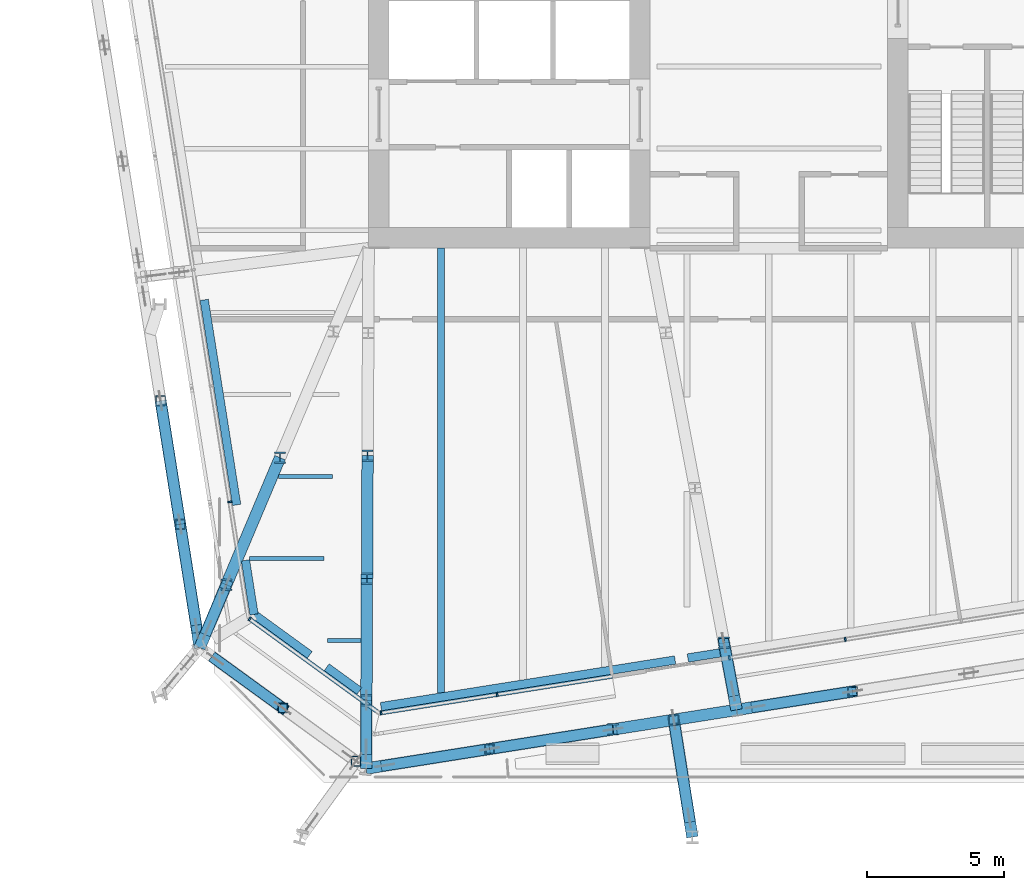
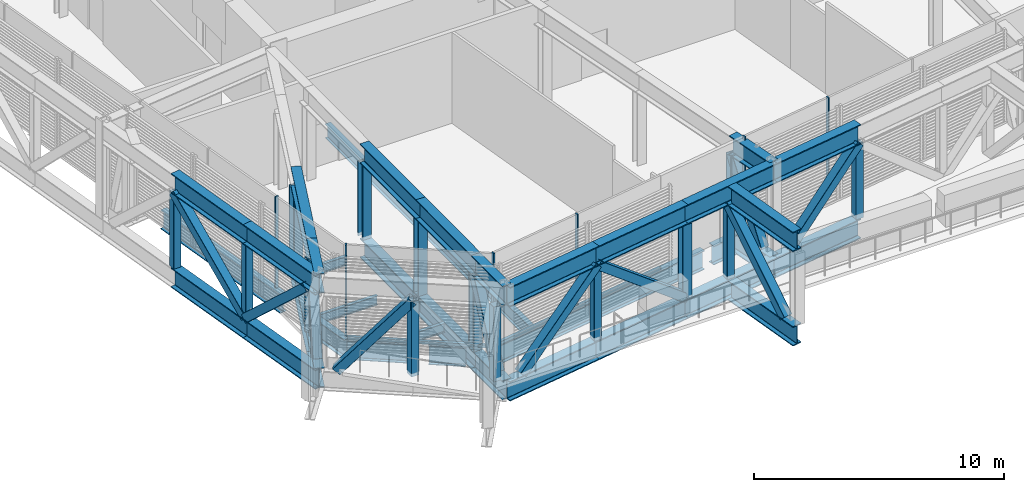
# One storey, part 2 of 32: 36 beams, 32 members, 3 elements without a shape of their own.
"""IFC4 building model written with IfcOpenShell, lengths in metres."""

from ifc_helpers import new_model, si_unit, direction, frame, origin, origin_2d, place, context, subcontext, project, spatial, rectangle, hollow_rectangle, i_section, extrude, material, layer, layer_set, material_profile, profile_set, type_object, element, aggregate, save


model = new_model("IFC4")

# Units and contexts
model_context = context("Model", 3, precision=1e-05, world=origin(), true_north=direction((0.0, 1.0)))
body_context = subcontext(model_context, "Body", "Model", "MODEL_VIEW")
ifc_project = project(units=[si_unit("LENGTHUNIT", "METRE"), si_unit("AREAUNIT", "SQUARE_METRE"), si_unit("VOLUMEUNIT", "CUBIC_METRE"), si_unit("PLANEANGLEUNIT", "RADIAN"), si_unit("MASSUNIT", "GRAM", prefix="KILO")], contexts=[model_context])

# Site, building, storey
site_placement = place(None, origin())
site = spatial("IfcSite", under=ifc_project, at=site_placement, CompositionType="ELEMENT")
building_placement = place(site_placement, origin())
building = spatial("IfcBuilding", under=site, at=building_placement, Name="Millrace Tower", CompositionType="ELEMENT")
storey_placement = place(building_placement, frame((0.0, 0.0, 124.89990234375)))
storey = spatial("IfcBuildingStorey", under=building, at=storey_placement, Name="L27", CompositionType="ELEMENT", Elevation=124.89990234375)

# Curtain wall, member
ifc_material_1 = material(Name="Aluminium and glass", Category="aluminium")
ifc_layer = layer(ifc_material_1, 0.14990234375)
ifc_layer_set = layer_set([ifc_layer], Name="Aluminium and glass")
curtain_wall_type = type_object("IfcCurtainWallType", Name="CW-5 truss and plant storey louvred infill", PredefinedType="NOTDEFINED", material=ifc_layer_set)
placement = place(storey_placement, origin())
curtain_wall_1 = element("IfcCurtainWall", 1, at=placement, inside=storey, type_object=curtain_wall_type, Name="Curtain wall C-F01 L27", PredefinedType="NOTDEFINED")
ifc_material_2 = material(Name="Aluminium", Category="aluminium")
ifc_material_profile_1 = material_profile(ifc_material_2, rectangle(XDim=0.06494140625, YDim=0.14990234375, at=origin_2d()))
ifc_profile_set_1 = profile_set([ifc_material_profile_1], Name="Aluminium")
member_type_1 = type_object("IfcMemberType", Name="CW-5 truss and plant storey louvred infill mullion", PredefinedType="MULLION", material=ifc_profile_set_1)
member_1_placement = place(storey_placement, frame((-19.00146484375, -23.2177734375, 0.14013671875), z_axis=(0.0, 0.0, 1.0), x_axis=(0.809016981623, -0.587785269844, 0.0)))
member_1 = element("IfcMember", 2, at=member_1_placement, type_object=member_type_1, Name="CW5 mullion C-F01.1", PredefinedType="MULLION", context=body_context, shape_type="SweptSolid", body=[
    extrude(rectangle(XDim=0.06494140625, YDim=0.14990234375, at=origin_2d()), origin(), (0.0, 0.0, 1.0), 4.4599609375),
])

# Curtain wall, members
curtain_wall_2 = element("IfcCurtainWall", 3, at=placement, inside=storey, type_object=curtain_wall_type, Name="Curtain wall C-F02 L27", PredefinedType="NOTDEFINED")
member_2_placement = place(storey_placement, frame((-14.191650390625, -26.65673828125, 0.14013671875), z_axis=(0.0, 0.0, 1.0), x_axis=(0.98768833929, 0.15643447328, 0.0)))
member_2 = element("IfcMember", 4, at=member_2_placement, type_object=member_type_1, Name="CW5 mullion C-F02.1", PredefinedType="MULLION", context=body_context, shape_type="SweptSolid", body=[
    extrude(rectangle(XDim=0.06494140625, YDim=0.14990234375, at=origin_2d()), origin(), (0.0, 0.0, 1.0), 4.4599609375),
])
member_3_placement = place(storey_placement, frame((-9.944580078125, -25.98388671875, 0.14013671875), z_axis=(0.0, 0.0, 1.0), x_axis=(0.98768833929, 0.15643447328, 0.0)))
member_3 = element("IfcMember", 5, at=member_3_placement, type_object=member_type_1, Name="CW5 mullion C-F02.2", PredefinedType="MULLION", context=body_context, shape_type="SweptSolid", body=[
    extrude(rectangle(XDim=0.06494140625, YDim=0.14990234375, at=origin_2d()), origin(), (0.0, 0.0, 1.0), 4.4599609375),
])
member_4_placement = place(storey_placement, frame((-1.450439453125, -24.638671875, 0.14013671875), z_axis=(0.0, 0.0, 1.0), x_axis=(0.98768833929, 0.15643447328, 0.0)))
member_4 = element("IfcMember", 6, at=member_4_placement, type_object=member_type_1, Name="CW5 mullion C-F02.4", PredefinedType="MULLION", context=body_context, shape_type="SweptSolid", body=[
    extrude(rectangle(XDim=0.06494140625, YDim=0.14990234375, at=origin_2d()), origin(), (0.0, 0.0, 1.0), 4.4599609375),
])
member_5_placement = place(storey_placement, frame((2.796630859375, -23.966064453125, 0.14013671875), z_axis=(0.0, 0.0, 1.0), x_axis=(0.98768833929, 0.15643447328, 0.0)))
member_5 = element("IfcMember", 7, at=member_5_placement, type_object=member_type_1, Name="CW5 mullion C-F02.5", PredefinedType="MULLION", context=body_context, shape_type="SweptSolid", body=[
    extrude(rectangle(XDim=0.06494140625, YDim=0.14990234375, at=origin_2d()), origin(), (0.0, 0.0, 1.0), 4.4599609375),
])

# Curtain wall, member
curtain_wall_3 = element("IfcCurtainWall", 8, at=placement, inside=storey, type_object=curtain_wall_type, Name="Curtain wall C-F08 L27", PredefinedType="NOTDEFINED")
member_6_placement = place(storey_placement, frame((-19.725341796875, -18.934814453125, 0.14013671875), z_axis=(0.0, 0.0, 1.0), x_axis=(0.15643447328, -0.98768833929, 0.0)))
member_6 = element("IfcMember", 9, at=member_6_placement, type_object=member_type_1, Name="CW5 mullion C-F08.9", PredefinedType="MULLION", context=body_context, shape_type="SweptSolid", body=[
    extrude(rectangle(XDim=0.06494140625, YDim=0.14990234375, at=origin_2d()), origin(), (0.0, 0.0, 1.0), 4.4599609375),
])
aggregate(curtain_wall_3, [member_6])

# Member
ifc_material_3 = material(Name="Aluminium", Category="aluminium")
ifc_material_profile_2 = material_profile(ifc_material_3, rectangle(XDim=0.14990234375, YDim=0.139892578125, at=origin_2d()))
ifc_profile_set_2 = profile_set([ifc_material_profile_2], Name="Aluminium")
member_type_2 = type_object("IfcMemberType", Name="CW-5 truss and plant storey louvred infill transom", PredefinedType="USERDEFINED", material=ifc_profile_set_2)
member_7_placement = place(storey_placement, frame((-18.94677734375, -23.25732421875, 0.070068359375), z_axis=(0.808998591139, -0.587810581339, 0.0), x_axis=(0.587810581339, 0.808998591139, 0.0)))
member_7 = element("IfcMember", 10, at=member_7_placement, type_object=member_type_2, Name="CW5 transom C-F01.1", ObjectType="TRANSOM", PredefinedType="USERDEFINED", context=body_context, shape_type="SweptSolid", body=[
    extrude(rectangle(XDim=0.14990234375, YDim=0.139892578125, at=origin_2d()), origin(), (0.0, 0.0, 1.0), 5.6689453125),
])

aggregate(curtain_wall_1, [member_1, member_7])

member_8_placement = place(storey_placement, frame((-14.125, -26.64599609375, 0.070068359375), z_axis=(0.987689963706, 0.156424216778, 0.0), x_axis=(-0.156424216778, 0.987689963706, 0.0)))
member_8 = element("IfcMember", 11, at=member_8_placement, type_object=member_type_2, Name="CW5 transom C-F02.1", ObjectType="TRANSOM", PredefinedType="USERDEFINED", context=body_context, shape_type="SweptSolid", body=[
    extrude(rectangle(XDim=0.14990234375, YDim=0.139892578125, at=origin_2d()), origin(), (0.0, 0.0, 1.0), 8.5),
])

aggregate(curtain_wall_2, [member_2, member_3, member_4, member_5, member_8])

# Beams
ifc_material_4 = material(Name="Steel ASTM A992 Grade 50", Category="steel")
ifc_material_profile_3 = material_profile(ifc_material_4, i_section(OverallWidth=0.15234375, OverallDepth=0.449462890625, WebThickness=0.007568359375, FlangeThickness=0.0107421875, FilletRadius=0.01025390625, at=origin_2d()))
ifc_profile_set_3 = profile_set([ifc_material_profile_3], Name="Steel ASTM A992 Grade 50")
beam_type_1 = type_object("IfcBeamType", Name="Floor beam W18x35", PredefinedType="JOIST", material=ifc_profile_set_3)
beam_1_placement = place(storey_placement, frame((-19.01123046875, -21.0, -0.384765625), z_axis=(1.0, 0.0, 0.0), x_axis=(0.0, 1.0, 0.0)))
element("IfcBeam", 12, at=beam_1_placement, inside=storey, type_object=beam_type_1, Name="BM-C-L27-S1-S002-a", PredefinedType="JOIST", context=body_context, shape_type="SweptSolid", body=[
    extrude(i_section(OverallWidth=0.15234375, OverallDepth=0.449462890625, WebThickness=0.007568359375, FlangeThickness=0.0107421875, FilletRadius=0.01025390625, at=origin_2d()), origin(), (0.0, 0.0, 1.0), 2.72412109375),
])
beam_2_placement = place(storey_placement, frame((-16.1494140625, -24.0, -0.384765625), z_axis=(1.0, 0.0, 0.0), x_axis=(0.0, 1.0, 0.0)))
element("IfcBeam", 13, at=beam_2_placement, inside=storey, type_object=beam_type_1, Name="BM-C-L27-S1-S001", PredefinedType="JOIST", context=body_context, shape_type="SweptSolid", body=[
    extrude(i_section(OverallWidth=0.15234375, OverallDepth=0.449462890625, WebThickness=0.007568359375, FlangeThickness=0.0107421875, FilletRadius=0.01025390625, at=origin_2d()), origin(), (0.0, 0.0, 1.0), 1.219970703125),
])
beam_3_placement = place(storey_placement, frame((-17.95068359375, -18.0, -0.384765625), z_axis=(1.0, 0.0, 0.0), x_axis=(0.0, 1.0, 0.0)))
element("IfcBeam", 14, at=beam_3_placement, inside=storey, type_object=beam_type_1, Name="BM-C-L27-S1-S004", PredefinedType="JOIST", context=body_context, shape_type="SweptSolid", body=[
    extrude(i_section(OverallWidth=0.15234375, OverallDepth=0.449462890625, WebThickness=0.007568359375, FlangeThickness=0.0107421875, FilletRadius=0.01025390625, at=origin_2d()), origin(), (0.0, 0.0, 1.0), 1.9775390625),
])
ifc_material_5 = material(Name="Steel ASTM A992 Grade 50", Category="steel")
ifc_material_profile_4 = material_profile(ifc_material_5, i_section(OverallWidth=0.256591796875, OverallDepth=0.693359375, WebThickness=0.014404296875, FlangeThickness=0.023681640625, FilletRadius=0.01513671875, at=origin_2d()))
ifc_profile_set_4 = profile_set([ifc_material_profile_4], Name="Steel ASTM A992 Grade 50")
beam_type_2 = type_object("IfcBeamType", Name="Floor beam W27x114", PredefinedType="JOIST", material=ifc_profile_set_4)
beam_4_placement = place(storey_placement, frame((-12.0, -25.92236328125, -0.506591796875), z_axis=(0.0, 1.0, 0.0), x_axis=(-1.0, 0.0, 0.0)))
element("IfcBeam", 15, at=beam_4_placement, inside=storey, type_object=beam_type_2, Name="BM-C-L27-S1-S040", PredefinedType="JOIST", context=body_context, shape_type="SweptSolid", body=[
    extrude(i_section(OverallWidth=0.256591796875, OverallDepth=0.693359375, WebThickness=0.014404296875, FlangeThickness=0.023681640625, FilletRadius=0.01513671875, at=origin_2d()), origin(), (0.0, 0.0, 1.0), 16.2724609375),
])
ifc_material_6 = material(Name="Steel ASTM A992 Grade 50", Category="steel")
ifc_material_profile_5 = material_profile(ifc_material_6, i_section(OverallWidth=0.307373046875, OverallDepth=0.927001953125, WebThickness=0.01953125, FlangeThickness=0.031982421875, FilletRadius=0.01904296875, at=origin_2d()))
ifc_profile_set_5 = profile_set([ifc_material_profile_5], Name="Steel ASTM A992 Grade 50")
beam_type_3 = type_object("IfcBeamType", Name="Ring beam short span W36x194", PredefinedType="SPANDREL", material=ifc_profile_set_5)
beam_5_placement = place(storey_placement, frame((-16.802490234375, -24.53271484375, -0.62353515625), z_axis=(-0.809008231494, 0.587797313174, 0.0), x_axis=(-0.587797313174, -0.809008231494, 0.0)))
element("IfcBeam", 16, at=beam_5_placement, inside=storey, type_object=beam_type_3, Name="RNG-C-L27-S1-16-b", PredefinedType="SPANDREL", context=body_context, shape_type="SweptSolid", body=[
    extrude(i_section(OverallWidth=0.307373046875, OverallDepth=0.927001953125, WebThickness=0.01953125, FlangeThickness=0.031982421875, FilletRadius=0.01904296875, at=origin_2d()), origin(), (0.0, 0.0, 1.0), 2.520751953125),
])
beam_6_placement = place(storey_placement, frame((-3.43017578125, -24.720703125, -0.62353515625), z_axis=(-0.98768748868, -0.156439843729, 0.0), x_axis=(0.156439843729, -0.98768748868, 0.0)))
element("IfcBeam", 17, at=beam_6_placement, inside=storey, type_object=beam_type_3, Name="RNG-C-L27-S1-15-b", PredefinedType="SPANDREL", context=body_context, shape_type="SweptSolid", body=[
    extrude(i_section(OverallWidth=0.307373046875, OverallDepth=0.927001953125, WebThickness=0.01953125, FlangeThickness=0.031982421875, FilletRadius=0.01904296875, at=origin_2d()), origin(), (0.0, 0.0, 1.0), 10.90087890625),
])
beam_7_placement = place(storey_placement, frame((-19.476806640625, -19.042236328125, -0.62353515625), z_axis=(-0.15644609618, 0.987686498333, 0.0), x_axis=(-0.987686498333, -0.15644609618, 0.0)))
element("IfcBeam", 18, at=beam_7_placement, inside=storey, type_object=beam_type_3, Name="RNG-C-L27-S1-01-b", PredefinedType="SPANDREL", context=body_context, shape_type="SweptSolid", body=[
    extrude(i_section(OverallWidth=0.307373046875, OverallDepth=0.927001953125, WebThickness=0.01953125, FlangeThickness=0.031982421875, FilletRadius=0.01904296875, at=origin_2d()), origin(), (0.0, 0.0, 1.0), 7.5966796875),
])
beam_8_placement = place(storey_placement, frame((-18.841796875, -23.051025390625, -0.62353515625), z_axis=(-0.156488263408, 0.987679818269, 0.0), x_axis=(-0.987679818269, -0.156488263408, 0.0)))
element("IfcBeam", 19, at=beam_8_placement, inside=storey, type_object=beam_type_3, Name="RNG-C-L27-S1-01-a", PredefinedType="SPANDREL", context=body_context, shape_type="SweptSolid", body=[
    extrude(i_section(OverallWidth=0.307373046875, OverallDepth=0.927001953125, WebThickness=0.01953125, FlangeThickness=0.031982421875, FilletRadius=0.01904296875, at=origin_2d()), origin(), (0.0, 0.0, 1.0), 2.003173828125),
])
beam_9_placement = place(storey_placement, frame((-1.786865234375, -24.46044921875, -0.62353515625), z_axis=(-0.987704828788, -0.156330327158, 0.0), x_axis=(0.156330327158, -0.987704828788, 0.0)))
element("IfcBeam", 20, at=beam_9_placement, inside=storey, type_object=beam_type_3, Name="RNG-C-L27-S1-15-a", PredefinedType="SPANDREL", context=body_context, shape_type="SweptSolid", body=[
    extrude(i_section(OverallWidth=0.307373046875, OverallDepth=0.927001953125, WebThickness=0.01953125, FlangeThickness=0.031982421875, FilletRadius=0.01904296875, at=origin_2d()), origin(), (0.0, 0.0, 1.0), 1.193115234375),
])
beam_10_placement = place(storey_placement, frame((-14.983642578125, -25.854248046875, -0.62353515625), z_axis=(-0.809056416145, 0.587730989054, 0.0), x_axis=(-0.587730989054, -0.809056416145, 0.0)))
element("IfcBeam", 21, at=beam_10_placement, inside=storey, type_object=beam_type_3, Name="RNG-C-L27-S1-16-a", PredefinedType="SPANDREL", context=body_context, shape_type="SweptSolid", body=[
    extrude(i_section(OverallWidth=0.307373046875, OverallDepth=0.927001953125, WebThickness=0.01953125, FlangeThickness=0.031982421875, FilletRadius=0.01904296875, at=origin_2d()), origin(), (0.0, 0.0, 1.0), 1.482666015625),
])

# Members
ifc_material_7 = material(Name="Steel ASTM A992 Grade 50", Category="steel")
ifc_material_profile_6 = material_profile(ifc_material_7, i_section(OverallWidth=0.406494140625, OverallDepth=0.41650390625, WebThickness=0.030029296875, FlangeThickness=0.048095703125, FilletRadius=0.01513671875, at=origin_2d()))
ifc_profile_set_6 = profile_set([ifc_material_profile_6], Name="Steel ASTM A992 Grade 50")
member_type_3 = type_object("IfcMemberType", Name="Transfer truss Vierendeel moment post W14x257", PredefinedType="POST", material=ifc_profile_set_6)
for number, where, z_axis, x_axis, name in (
    (22, (-5.701416015625, -27.260986328125, -0.159912109375), (0.0, 0.0, 1.0), (1.0, 0.0, 0.0), "TRS-L27-R02-V02"),
    (23, (-19.856201171875, -21.96630859375, -0.159912109375), (0.0, 0.0, 1.0), (1.0, 0.0, 0.0), "TRS-L27-C01-V01"),
    (24, (-17.889892578125, -17.31494140625, -0.159912109375), (0.0, 0.0, 1.0), (1.0, 0.0, 0.0), "TRS-L27-C01-V02"),
    (25, (-14.72900390625, -26.192626953125, -0.159912109375), (0.0, 0.0, 1.0), (1.0, 0.0, 0.0), "TRS-L27-C02-V01"),
    (26, (-14.707763671875, -21.74267578125, -0.159912109375), (0.0, 0.0, 1.0), (1.0, 0.0, 0.0), "TRS-L27-C02-V02"),
    (27, (-14.686279296875, -17.24267578125, -0.159912109375), (0.0, 0.0, 1.0), (1.0, 0.0, 0.0), "TRS-L27-C02-V03"),
    (28, (-1.642333984375, -24.087890625, -0.159912109375), (0.0, 0.0, 1.0), (1.0, 0.0, 0.0), "TRS-L27-C03-V01"),
):
    element("IfcMember", number, at=place(storey_placement, frame(where, z_axis=z_axis, x_axis=x_axis)), inside=storey, type_object=member_type_3, Name=name, PredefinedType="POST", context=body_context, shape_type="SweptSolid", body=[
        extrude(i_section(OverallWidth=0.406494140625, OverallDepth=0.41650390625, WebThickness=0.030029296875, FlangeThickness=0.048095703125, FilletRadius=0.01513671875, at=origin_2d()), origin(), (0.0, 0.0, 1.0), 3.642333984375),
    ])

# Beams
ifc_material_8 = material(Name="Steel ASTM A992 Grade 50", Category="steel")
ifc_material_profile_7 = material_profile(ifc_material_8, i_section(OverallWidth=0.421630859375, OverallDepth=0.95751953125, WebThickness=0.02587890625, FlangeThickness=0.046875, FilletRadius=0.024169921875, at=origin_2d()))
ifc_profile_set_7 = profile_set([ifc_material_profile_7], Name="Steel ASTM A992 Grade 50")
beam_type_4 = type_object("IfcBeamType", Name="Transfer truss chord W36x330", PredefinedType="BEAM", material=ifc_profile_set_7)
for number, where, z_axis, x_axis, name in (
    (29, (-14.740966796875, -28.692626953125, -0.638671875), (0.987689751328, 0.156425557764, 0.0), (-0.156425557764, 0.987689751328, 0.0), "TRS-L27-R02-B01"),
    (30, (-14.740966796875, -28.692626953125, 3.96142578125), (0.987689751328, 0.156425557764, 0.0), (-0.156425557764, 0.987689751328, 0.0), "TRS-L27-R02-T01"),
    (31, (-10.22119140625, -27.976806640625, -0.638671875), (0.987689751328, 0.156425557764, 0.0), (-0.156425557764, 0.987689751328, 0.0), "TRS-L27-R02-B02"),
    (32, (-10.22119140625, -27.976806640625, 3.96142578125), (0.987689751328, 0.156425557764, 0.0), (-0.156425557764, 0.987689751328, 0.0), "TRS-L27-R02-T02"),
):
    element("IfcBeam", number, at=place(storey_placement, frame(where, z_axis=z_axis, x_axis=x_axis)), inside=storey, type_object=beam_type_4, Name=name, PredefinedType="BEAM", context=body_context, shape_type="SweptSolid", body=[
        extrude(i_section(OverallWidth=0.421630859375, OverallDepth=0.95751953125, WebThickness=0.02587890625, FlangeThickness=0.046875, FilletRadius=0.024169921875, at=origin_2d()), origin(), (0.0, 0.0, 1.0), 4.576171875),
    ])
for number, where, z_axis, x_axis, name in (
    (33, (-5.701416015625, -27.260986328125, -0.638671875), (0.987691056671, 0.156417315446, 0.0), (-0.156417315446, 0.987691056671, 0.0), "TRS-L27-R02-B03"),
    (34, (-5.701416015625, -27.260986328125, 3.96142578125), (0.987691056671, 0.156417315446, 0.0), (-0.156417315446, 0.987691056671, 0.0), "TRS-L27-R02-T03"),
):
    element("IfcBeam", number, at=place(storey_placement, frame(where, z_axis=z_axis, x_axis=x_axis)), inside=storey, type_object=beam_type_4, Name=name, PredefinedType="BEAM", context=body_context, shape_type="SweptSolid", body=[
        extrude(i_section(OverallWidth=0.421630859375, OverallDepth=0.95751953125, WebThickness=0.02587890625, FlangeThickness=0.046875, FilletRadius=0.024169921875, at=origin_2d()), origin(), (0.0, 0.0, 1.0), 4.576416015625),
    ])
for number, where, z_axis, x_axis, name in (
    (35, (-1.181396484375, -26.545166015625, -0.638671875), (0.987680420357, 0.156484463266, 0.0), (-0.156484463266, 0.987680420357, 0.0), "TRS-L27-R03-B01"),
    (36, (-1.181396484375, -26.545166015625, 3.96142578125), (0.987680420357, 0.156484463266, 0.0), (-0.156484463266, 0.987680420357, 0.0), "TRS-L27-R03-T01"),
):
    element("IfcBeam", number, at=place(storey_placement, frame(where, z_axis=z_axis, x_axis=x_axis)), inside=storey, type_object=beam_type_4, Name=name, PredefinedType="BEAM", context=body_context, shape_type="SweptSolid", body=[
        extrude(i_section(OverallWidth=0.421630859375, OverallDepth=0.95751953125, WebThickness=0.02587890625, FlangeThickness=0.046875, FilletRadius=0.024169921875, at=origin_2d()), origin(), (0.0, 0.0, 1.0), 4.2998046875),
    ])
for number, where, z_axis, x_axis, name in (
    (37, (-22.26123046875, -15.2294921875, -0.638671875), (0.156425557764, -0.987689751328, 0.0), (0.987689751328, 0.156425557764, 0.0), "TRS-L27-R16-B02"),
    (38, (-22.26123046875, -15.2294921875, 3.96142578125), (0.156425557764, -0.987689751328, 0.0), (0.987689751328, 0.156425557764, 0.0), "TRS-L27-R16-T02"),
    (39, (-21.54541015625, -19.749267578125, -0.638671875), (0.156477602811, -0.987681507278, 0.0), (0.987681507278, 0.156477602811, 0.0), "TRS-L27-R16-B03"),
    (40, (-21.54541015625, -19.749267578125, 3.96142578125), (0.156477602811, -0.987681507278, 0.0), (0.987681507278, 0.156477602811, 0.0), "TRS-L27-R16-T03"),
):
    element("IfcBeam", number, at=place(storey_placement, frame(where, z_axis=z_axis, x_axis=x_axis)), inside=storey, type_object=beam_type_4, Name=name, PredefinedType="BEAM", context=body_context, shape_type="SweptSolid", body=[
        extrude(i_section(OverallWidth=0.421630859375, OverallDepth=0.95751953125, WebThickness=0.02587890625, FlangeThickness=0.046875, FilletRadius=0.024169921875, at=origin_2d()), origin(), (0.0, 0.0, 1.0), 4.576171875),
    ])
for number, where, z_axis, x_axis, name in (
    (41, (-20.829345703125, -24.26904296875, -0.638671875), (0.389270397644, 0.921123529999, 0.0), (-0.921123529999, 0.389270397644, 0.0), "TRS-L27-C01-B01"),
    (42, (-20.829345703125, -24.26904296875, 3.96142578125), (0.389270397644, 0.921123529999, 0.0), (-0.921123529999, 0.389270397644, 0.0), "TRS-L27-C01-T01"),
):
    element("IfcBeam", number, at=place(storey_placement, frame(where, z_axis=z_axis, x_axis=x_axis)), inside=storey, type_object=beam_type_4, Name=name, PredefinedType="BEAM", context=body_context, shape_type="SweptSolid", body=[
        extrude(i_section(OverallWidth=0.421630859375, OverallDepth=0.95751953125, WebThickness=0.02587890625, FlangeThickness=0.046875, FilletRadius=0.024169921875, at=origin_2d()), origin(), (0.0, 0.0, 1.0), 2.5),
    ])
for number, where, z_axis, x_axis, name in (
    (43, (-19.856201171875, -21.96630859375, -0.638671875), (0.389375014438, 0.921079311531, 0.0), (-0.921079311531, 0.389375014438, 0.0), "TRS-L27-C01-B02"),
    (44, (-19.856201171875, -21.96630859375, 3.96142578125), (0.389375014438, 0.921079311531, 0.0), (-0.921079311531, 0.389375014438, 0.0), "TRS-L27-C01-T02"),
):
    element("IfcBeam", number, at=place(storey_placement, frame(where, z_axis=z_axis, x_axis=x_axis)), inside=storey, type_object=beam_type_4, Name=name, PredefinedType="BEAM", context=body_context, shape_type="SweptSolid", body=[
        extrude(i_section(OverallWidth=0.421630859375, OverallDepth=0.95751953125, WebThickness=0.02587890625, FlangeThickness=0.046875, FilletRadius=0.024169921875, at=origin_2d()), origin(), (0.0, 0.0, 1.0), 5.0498046875),
    ])
for number, where, z_axis, x_axis, name in (
    (45, (-14.740966796875, -28.692626953125, -0.638671875), (0.004785101466, 0.999988551336, 0.0), (-0.999988551336, 0.004785101466, 0.0), "TRS-L27-C02-B01"),
    (46, (-14.740966796875, -28.692626953125, 3.96142578125), (0.004785101466, 0.999988551336, 0.0), (-0.999988551336, 0.004785101466, 0.0), "TRS-L27-C02-T01"),
):
    element("IfcBeam", number, at=place(storey_placement, frame(where, z_axis=z_axis, x_axis=x_axis)), inside=storey, type_object=beam_type_4, Name=name, PredefinedType="BEAM", context=body_context, shape_type="SweptSolid", body=[
        extrude(i_section(OverallWidth=0.421630859375, OverallDepth=0.95751953125, WebThickness=0.02587890625, FlangeThickness=0.046875, FilletRadius=0.024169921875, at=origin_2d()), origin(), (0.0, 0.0, 1.0), 2.5),
    ])
for number, where, z_axis, x_axis, name in (
    (47, (-14.72900390625, -26.192626953125, -0.638671875), (0.004773084378, 0.999988608768, 0.0), (-0.999988608768, 0.004773084378, 0.0), "TRS-L27-C02-B02"),
    (48, (-14.72900390625, -26.192626953125, 3.96142578125), (0.004773084378, 0.999988608768, 0.0), (-0.999988608768, 0.004773084378, 0.0), "TRS-L27-C02-T02"),
):
    element("IfcBeam", number, at=place(storey_placement, frame(where, z_axis=z_axis, x_axis=x_axis)), inside=storey, type_object=beam_type_4, Name=name, PredefinedType="BEAM", context=body_context, shape_type="SweptSolid", body=[
        extrude(i_section(OverallWidth=0.421630859375, OverallDepth=0.95751953125, WebThickness=0.02587890625, FlangeThickness=0.046875, FilletRadius=0.024169921875, at=origin_2d()), origin(), (0.0, 0.0, 1.0), 4.449951171875),
    ])
for number, where, z_axis, x_axis, name in (
    (49, (-14.707763671875, -21.74267578125, -0.638671875), (0.004774251144, 0.999988603198, 0.0), (-0.999988603198, 0.004774251144, 0.0), "TRS-L27-C02-B03"),
    (50, (-14.707763671875, -21.74267578125, 3.96142578125), (0.004774251144, 0.999988603198, 0.0), (-0.999988603198, 0.004774251144, 0.0), "TRS-L27-C02-T03"),
):
    element("IfcBeam", number, at=place(storey_placement, frame(where, z_axis=z_axis, x_axis=x_axis)), inside=storey, type_object=beam_type_4, Name=name, PredefinedType="BEAM", context=body_context, shape_type="SweptSolid", body=[
        extrude(i_section(OverallWidth=0.421630859375, OverallDepth=0.95751953125, WebThickness=0.02587890625, FlangeThickness=0.046875, FilletRadius=0.024169921875, at=origin_2d()), origin(), (0.0, 0.0, 1.0), 4.5),
    ])
for number, where, z_axis, x_axis, name in (
    (51, (-1.181396484375, -26.545166015625, -0.638671875), (-0.184365181351, 0.982857812659, 0.0), (-0.982857812659, -0.184365181351, 0.0), "TRS-L27-C03-B01"),
    (52, (-1.181396484375, -26.545166015625, 3.96142578125), (-0.184365181351, 0.982857812659, 0.0), (-0.982857812659, -0.184365181351, 0.0), "TRS-L27-C03-T01"),
):
    element("IfcBeam", number, at=place(storey_placement, frame(where, z_axis=z_axis, x_axis=x_axis)), inside=storey, type_object=beam_type_4, Name=name, PredefinedType="BEAM", context=body_context, shape_type="SweptSolid", body=[
        extrude(i_section(OverallWidth=0.421630859375, OverallDepth=0.95751953125, WebThickness=0.02587890625, FlangeThickness=0.046875, FilletRadius=0.024169921875, at=origin_2d()), origin(), (0.0, 0.0, 1.0), 2.500244140625),
    ])
for number, where, z_axis, x_axis, name in (
    (53, (-2.800048828125, -31.199951171875, -0.638671875), (-0.156396265319, 0.987694390079, 0.0), (-0.987694390079, -0.156396265319, 0.0), "TRS-L27-B-B-X03-B01"),
    (54, (-2.800048828125, -31.199951171875, 3.96142578125), (-0.156396265319, 0.987694390079, 0.0), (-0.987694390079, -0.156396265319, 0.0), "TRS-L27-B-B-X03-T01"),
):
    element("IfcBeam", number, at=place(storey_placement, frame(where, z_axis=z_axis, x_axis=x_axis)), inside=storey, type_object=beam_type_4, Name=name, PredefinedType="BEAM", context=body_context, shape_type="SweptSolid", body=[
        extrude(i_section(OverallWidth=0.421630859375, OverallDepth=0.95751953125, WebThickness=0.02587890625, FlangeThickness=0.046875, FilletRadius=0.024169921875, at=origin_2d()), origin(), (0.0, 0.0, 1.0), 4.133544921875),
    ])

# Members
ifc_material_9 = material(Name="Steel ASTM A500 Grade C", Category="steel")
ifc_material_profile_8 = material_profile(ifc_material_9, hollow_rectangle(XDim=0.406494140625, YDim=0.406494140625, WallThickness=0.0126953125, InnerFilletRadius=0.00634765625, OuterFilletRadius=0.01904296875, at=origin_2d()))
ifc_profile_set_8 = profile_set([ifc_material_profile_8], Name="Steel ASTM A500 Grade C")
member_type_4 = type_object("IfcMemberType", Name="Transfer truss diagonal HSS16x16x1/2", PredefinedType="BRACE", material=ifc_profile_set_8)
member_9_placement = place(storey_placement, frame((-20.26318359375, -24.680419921875, -0.159912109375), z_axis=(0.520691080057, -0.378334651766, 0.765338938263), x_axis=(0.587816204595, 0.808994505306, 0.0)))
element("IfcMember", 55, at=member_9_placement, inside=storey, type_object=member_type_4, Name="TRS-L27-R01-D01", PredefinedType="BRACE", context=body_context, shape_type="SweptSolid", body=[
    extrude(hollow_rectangle(XDim=0.406494140625, YDim=0.406494140625, WallThickness=0.0126953125, InnerFilletRadius=0.00634765625, OuterFilletRadius=0.01904296875, at=origin_2d()), origin(), (0.0, 0.0, 1.0), 4.759033203125),
])
member_10_placement = place(storey_placement, frame((-14.049560546875, -28.583251953125, -0.159912109375), z_axis=(0.719765991606, 0.114016881777, 0.684789798404), x_axis=(-0.156457420202, 0.987684704581, 0.0)))
element("IfcMember", 56, at=member_10_placement, inside=storey, type_object=member_type_4, Name="TRS-L27-R02-D01", PredefinedType="BRACE", context=body_context, shape_type="SweptSolid", body=[
    extrude(hollow_rectangle(XDim=0.406494140625, YDim=0.406494140625, WallThickness=0.0126953125, InnerFilletRadius=0.00634765625, OuterFilletRadius=0.01904296875, at=origin_2d()), origin(), (0.0, 0.0, 1.0), 5.31884765625),
])
member_11_placement = place(storey_placement, frame((-5.701416015625, -27.260986328125, -0.159912109375), z_axis=(-0.772782077588, -0.122389512855, 0.622758916196), x_axis=(0.156425557764, -0.987689751328, 0.0)))
element("IfcMember", 57, at=member_11_placement, inside=storey, type_object=member_type_4, Name="TRS-L27-R02-D02", PredefinedType="BRACE", context=body_context, shape_type="SweptSolid", body=[
    extrude(hollow_rectangle(XDim=0.406494140625, YDim=0.406494140625, WallThickness=0.0126953125, InnerFilletRadius=0.00634765625, OuterFilletRadius=0.01904296875, at=origin_2d()), origin(), (0.0, 0.0, 1.0), 5.8486328125),
])
member_12_placement = place(storey_placement, frame((-0.490234375, -26.435546875, -0.159912109375), z_axis=(0.694304430848, 0.109980796619, 0.711228220531), x_axis=(-0.156453585206, 0.987685312069, 0.0)))
element("IfcMember", 58, at=member_12_placement, inside=storey, type_object=member_type_4, Name="TRS-L27-R03-D01", PredefinedType="BRACE", context=body_context, shape_type="SweptSolid", body=[
    extrude(hollow_rectangle(XDim=0.406494140625, YDim=0.406494140625, WallThickness=0.0126953125, InnerFilletRadius=0.00634765625, OuterFilletRadius=0.01904296875, at=origin_2d()), origin(), (0.0, 0.0, 1.0), 5.12109375),
])
member_13_placement = place(storey_placement, frame((-21.54541015625, -19.749267578125, -0.159912109375), z_axis=(-0.122389512855, 0.772782077588, 0.622758916196), x_axis=(-0.987689751328, -0.156425557764, 0.0)))
element("IfcMember", 59, at=member_13_placement, inside=storey, type_object=member_type_4, Name="TRS-L27-R16-D02", PredefinedType="BRACE", context=body_context, shape_type="SweptSolid", body=[
    extrude(hollow_rectangle(XDim=0.406494140625, YDim=0.406494140625, WallThickness=0.0126953125, InnerFilletRadius=0.00634765625, OuterFilletRadius=0.01904296875, at=origin_2d()), origin(), (0.0, 0.0, 1.0), 5.8486328125),
])
member_14_placement = place(storey_placement, frame((-21.54541015625, -19.749267578125, -0.159912109375), z_axis=(0.114016881777, -0.719765991606, 0.684789798404), x_axis=(0.987684704581, 0.156457420202, 0.0)))
element("IfcMember", 60, at=member_14_placement, inside=storey, type_object=member_type_4, Name="TRS-L27-R16-D03", PredefinedType="BRACE", context=body_context, shape_type="SweptSolid", body=[
    extrude(hollow_rectangle(XDim=0.406494140625, YDim=0.406494140625, WallThickness=0.0126953125, InnerFilletRadius=0.00634765625, OuterFilletRadius=0.01904296875, at=origin_2d()), origin(), (0.0, 0.0, 1.0), 5.31884765625),
])
for number, where, z_axis, x_axis, name in (
    (61, (-20.556884765625, -23.624267578125, -0.159912109375), (0.172463024631, 0.408082369432, 0.89650726985), (-0.921118816974, 0.389281549803, 0.0), "TRS-L27-C01-D01"),
    (62, (-14.737548828125, -27.99267578125, -0.159912109375), (0.002103178101, 0.443049489737, 0.896494688375), (-0.999988732948, 0.004746996562, 0.0), "TRS-L27-C02-D01"),
    (63, (-1.310546875, -25.85693359375, -0.159912109375), (-0.081665016674, 0.435426571612, 0.896512423665), (-0.982862972277, -0.184337673106, 0.0), "TRS-L27-C03-D01"),
):
    element("IfcMember", number, at=place(storey_placement, frame(where, z_axis=z_axis, x_axis=x_axis)), inside=storey, type_object=member_type_4, Name=name, PredefinedType="BRACE", context=body_context, shape_type="SweptSolid", body=[
        extrude(hollow_rectangle(XDim=0.406494140625, YDim=0.406494140625, WallThickness=0.0126953125, InnerFilletRadius=0.00634765625, OuterFilletRadius=0.01904296875, at=origin_2d()), origin(), (0.0, 0.0, 1.0), 4.062744140625),
    ])
member_15_placement = place(storey_placement, frame((-2.909423828125, -30.508544921875, -0.159912109375), z_axis=(-0.11068492435, 0.698603820469, 0.706895713346), x_axis=(-0.987680267985, -0.156485424987, 0.0)))
element("IfcMember", 64, at=member_15_placement, inside=storey, type_object=member_type_4, Name="TRS-L27-B-B-X03-D01", PredefinedType="BRACE", context=body_context, shape_type="SweptSolid", body=[
    extrude(hollow_rectangle(XDim=0.406494140625, YDim=0.406494140625, WallThickness=0.0126953125, InnerFilletRadius=0.00634765625, OuterFilletRadius=0.01904296875, at=origin_2d()), origin(), (0.0, 0.0, 1.0), 5.152587890625),
])
ifc_material_10 = material(Name="Steel ASTM A500 Grade C", Category="steel")
ifc_material_profile_9 = material_profile(ifc_material_10, hollow_rectangle(XDim=0.355712890625, YDim=0.355712890625, WallThickness=0.015869140625, InnerFilletRadius=0.008056640625, OuterFilletRadius=0.02392578125, at=origin_2d()))
ifc_profile_set_9 = profile_set([ifc_material_profile_9], Name="Steel ASTM A500 Grade C")
member_type_5 = type_object("IfcMemberType", Name="Transfer truss post HSS14x14x5/8", PredefinedType="POST", material=ifc_profile_set_9)
for number, where, z_axis, x_axis, name in (
    (65, (-17.78515625, -26.48095703125, -0.159912109375), (0.0, 0.0, 1.0), (1.0, 0.0, 0.0), "TRS-L27-R01-V01"),
    (66, (-10.22119140625, -27.976806640625, -0.159912109375), (0.0, 0.0, 1.0), (1.0, 0.0, 0.0), "TRS-L27-R02-V01"),
    (67, (3.0654296875, -25.872314453125, -0.159912109375), (0.0, 0.0, 1.0), (1.0, 0.0, 0.0), "TRS-L27-R03-V01"),
    (68, (-22.26123046875, -15.2294921875, -0.159912109375), (0.0, 0.0, 1.0), (1.0, 0.0, 0.0), "TRS-L27-R16-V01"),
    (69, (-21.54541015625, -19.749267578125, -0.159912109375), (0.0, 0.0, 1.0), (1.0, 0.0, 0.0), "TRS-L27-R16-V02"),
    (70, (-15.111328125, -28.423583984375, -0.159912109375), (0.0, 0.0, 1.0), (1.0, 0.0, 0.0), "TRS-L27-B-B-X02-V01"),
    (71, (-3.479736328125, -26.908935546875, -0.159912109375), (0.0, 0.0, 1.0), (1.0, 0.0, 0.0), "TRS-L27-B-B-X03-V01"),
):
    element("IfcMember", number, at=place(storey_placement, frame(where, z_axis=z_axis, x_axis=x_axis)), inside=storey, type_object=member_type_5, Name=name, PredefinedType="POST", context=body_context, shape_type="SweptSolid", body=[
        extrude(hollow_rectangle(XDim=0.355712890625, YDim=0.355712890625, WallThickness=0.015869140625, InnerFilletRadius=0.008056640625, OuterFilletRadius=0.02392578125, at=origin_2d()), origin(), (0.0, 0.0, 1.0), 3.642333984375),
    ])

save(model, "model.ifc")
